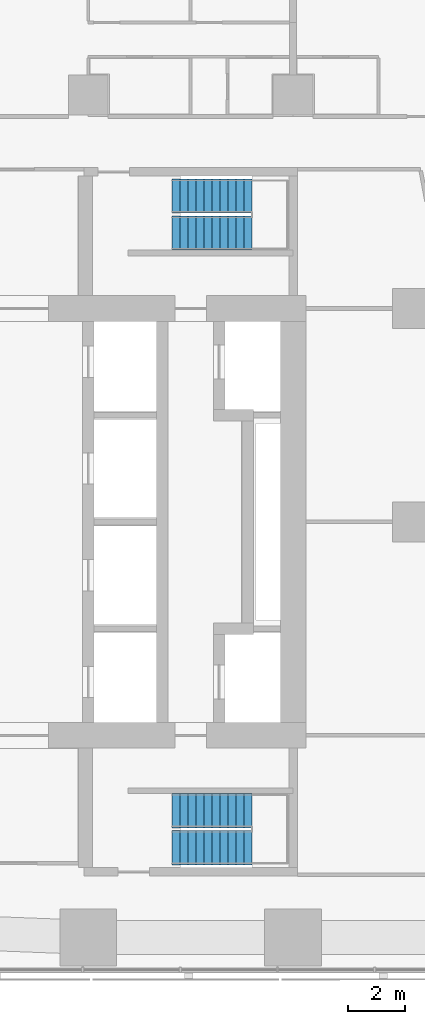
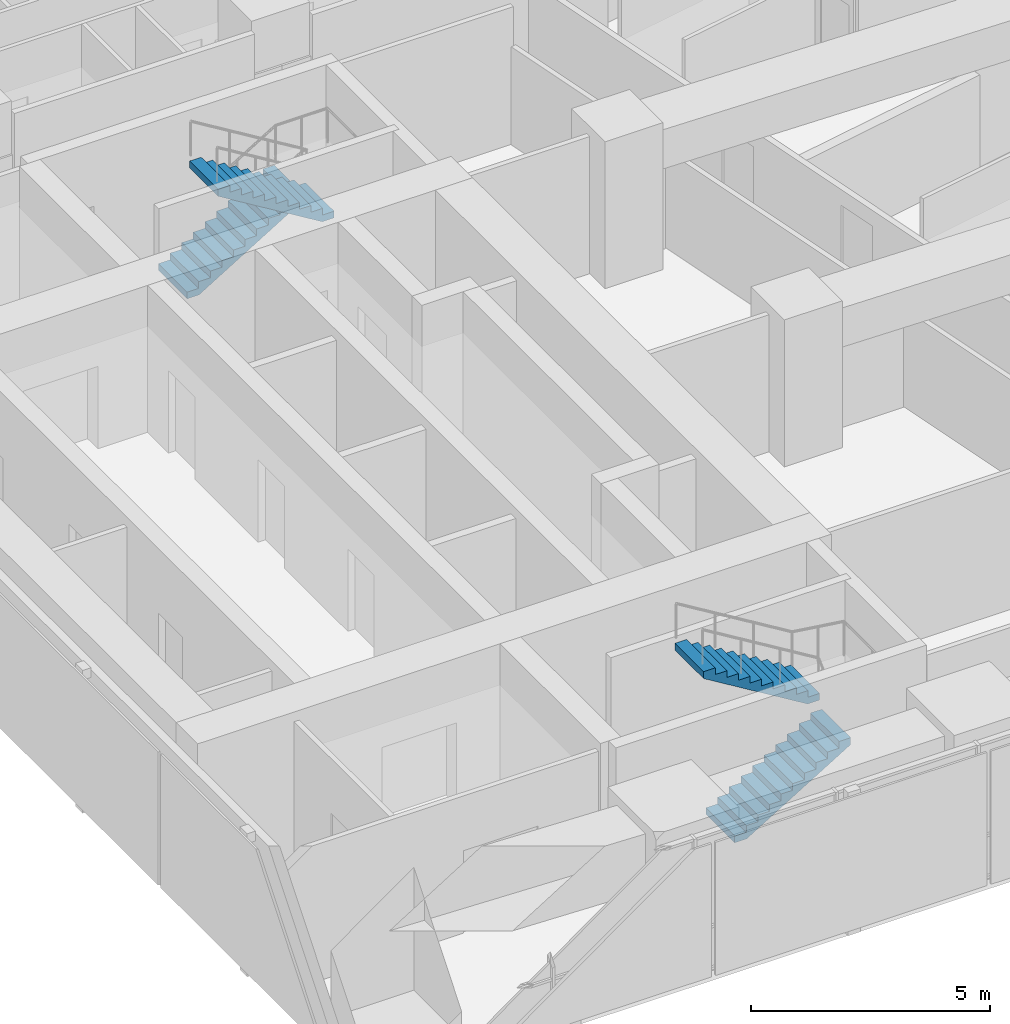
# One storey, part 10 of 11: 4 stair flights, 2 elements without a shape of their own.
"""IFC4 building model written with IfcOpenShell, lengths in metres."""

import ifcopenshell
import ifcopenshell.guid

model = None  # the IFC model being written
_history = None  # IfcOwnerHistory: only IFC2X3 demands one
_inside = {}  # id of a spatial element -> (the spatial element, [elements in it])
_under = {}  # id of a project, library or spatial element -> (it, [spatial elements below it])
_declared = {}  # id of a project -> (the project, [libraries it declares])
_typed = {}  # id of a type object -> (the type object, [elements of that type])
_made_of = {}  # id of a material, layer set ... -> (it, [elements and type objects made of it])


def new_model(schema):
    """Start an empty IFC model of exactly this schema.

    Asked for "IFC4X3", IfcOpenShell would pick the latest addendum, in which some entities
    have other attributes; the version numbers below select the first issue.
    IFC2X3 requires an IfcOwnerHistory on every rooted entity: one is made here for all.
    """
    global model, _history
    if schema == "IFC4X3":
        model = ifcopenshell.file(schema_version=(4, 3, 0, 0))
    else:
        model = ifcopenshell.file(schema=schema)
    _inside.clear()
    _under.clear()
    _declared.clear()
    _typed.clear()
    _made_of.clear()
    _history = None
    if model.schema == "IFC2X3":
        org = make("IfcOrganization", Name="unknown")
        user = make(
            "IfcPersonAndOrganization",
            ThePerson=make("IfcPerson", FamilyName="unknown"),
            TheOrganization=org,
        )
        app = make(
            "IfcApplication",
            ApplicationDeveloper=org,
            Version="unknown",
            ApplicationFullName="unknown",
            ApplicationIdentifier="unknown",
        )
        _history = make(
            "IfcOwnerHistory",
            OwningUser=user,
            OwningApplication=app,
            ChangeAction="ADDED",
            CreationDate=0,
        )
    return model


def make(cls, **values):
    """One entity of the class cls with the attributes given. An attribute that is None is left unset."""
    return model.create_entity(
        cls, **{name: value for name, value in values.items() if value is not None}
    )


def rooted(cls, **values):
    """An entity with a GlobalId (a new one), such as an element, a storey or a relation."""
    return make(cls, GlobalId=ifcopenshell.guid.new(), OwnerHistory=_history, **values)


def si_unit(unit_type, name, prefix=None):
    """IfcSIUnit, for example si_unit("LENGTHUNIT", "METRE", prefix="MILLI")."""
    return make("IfcSIUnit", UnitType=unit_type, Prefix=prefix, Name=name)


def assignment(units):
    """IfcUnitAssignment: the units of a project."""
    return None if units is None else make("IfcUnitAssignment", Units=units)


def point(xyz):
    """IfcCartesianPoint."""
    return None if xyz is None else make("IfcCartesianPoint", Coordinates=xyz)


def direction(xyz):
    """IfcDirection."""
    return None if xyz is None else make("IfcDirection", DirectionRatios=xyz)


def frame(location, z_axis=None, x_axis=None):
    """IfcAxis2Placement3D, a coordinate frame: its origin and axes. An axis left out is left unset."""
    return make(
        "IfcAxis2Placement3D",
        Location=point(location),
        Axis=direction(z_axis),
        RefDirection=direction(x_axis),
    )


def origin():
    """The frame at (0, 0, 0) with its axes left unset."""
    return frame((0.0, 0.0, 0.0))


def place(relative_to, where):
    """IfcLocalPlacement: puts the frame where relative to a parent placement (None: the world)."""
    return make(
        "IfcLocalPlacement", PlacementRelTo=relative_to, RelativePlacement=where
    )


def context(
    kind, dimensions, precision=None, world=None, true_north=None, identifier=None
):
    """IfcGeometricRepresentationContext, for example the 3D "Model" context."""
    return make(
        "IfcGeometricRepresentationContext",
        ContextIdentifier=identifier,
        ContextType=kind,
        CoordinateSpaceDimension=dimensions,
        Precision=precision,
        WorldCoordinateSystem=world,
        TrueNorth=true_north,
    )


def subcontext(parent, identifier, kind, view, scale=None):
    """IfcGeometricRepresentationSubContext, for example "Body" below "Model"."""
    return make(
        "IfcGeometricRepresentationSubContext",
        ContextIdentifier=identifier,
        ContextType=kind,
        ParentContext=parent,
        TargetScale=scale,
        TargetView=view,
    )


def project(units=None, contexts=None):
    """IfcProject with its units and contexts."""
    return rooted(
        "IfcProject",
        Name="project",
        RepresentationContexts=contexts,
        UnitsInContext=assignment(units),
    )


def spatial(cls, under=None, at=None, **own):
    """A site, building, storey or space (cls), placed at a placement, below another one or the project."""
    s = rooted(cls, ObjectPlacement=at, **own)
    if under is not None:
        _under.setdefault(under.id(), (under, []))[1].append(s)
    return s


def point_list(points):
    """IfcCartesianPointList2D or 3D."""
    cls = (
        "IfcCartesianPointList2D" if len(points[0]) == 2 else "IfcCartesianPointList3D"
    )
    return make(cls, CoordList=points)


def triangles(points, corners, closed=None, point_numbers=None):
    """IfcTriangulatedFaceSet: each triangle names its three corners, points numbered from 1."""
    return make(
        "IfcTriangulatedFaceSet",
        Coordinates=point_list(points),
        Closed=closed,
        CoordIndex=corners,
        PnIndex=point_numbers,
    )


def shape(context_of_items, identifier, shape_type, items):
    """IfcShapeRepresentation: the items that make up one representation, for example the "Body"."""
    return make(
        "IfcShapeRepresentation",
        ContextOfItems=context_of_items,
        RepresentationIdentifier=identifier,
        RepresentationType=shape_type,
        Items=items,
    )


def material(Name=None, Category=None):
    """IfcMaterial."""
    return make("IfcMaterial", Name=Name, Category=Category)


def made_of(thing, what):
    """Note that an element or type object is made of a material, layer set ...; save() writes the relation."""
    if what is not None:
        _made_of.setdefault(what.id(), (what, []))[1].append(thing)
    return thing


def type_object(cls, material=None, **own):
    """A type object (cls), such as IfcWallType, which elements share."""
    return made_of(rooted(cls, **own), material)


def element(
    cls,
    number,
    at=None,
    inside=None,
    cuts=None,
    type_object=None,
    material=None,
    context=None,
    identifier="Body",
    shape_type=None,
    held_by="IfcProductDefinitionShape",
    body=None,
    shapes=None,
    **own,
):
    """One element of the class cls, such as IfcWall. Its Tag is "e" and its number.

    at: its placement. inside: the storey or other place that contains it. cuts: it is an
    opening in that element (IfcRelVoidsElement). A single representation is given by context,
    identifier, shape_type and body (its items); several are given by shapes. held_by: the class
    of the entity that holds the representations. save() writes the other relations.
    """
    e = rooted(cls, Tag="e%d" % number, ObjectPlacement=at, **own)
    if body is not None:
        shapes = [shape(context, identifier, shape_type, body)]
    if shapes is not None:
        e.Representation = make(held_by, Representations=shapes)
    if inside is not None:
        _inside.setdefault(inside.id(), (inside, []))[1].append(e)
    if cuts is not None:
        rooted(
            "IfcRelVoidsElement", RelatingBuildingElement=cuts, RelatedOpeningElement=e
        )
    if type_object is not None:
        _typed.setdefault(type_object.id(), (type_object, []))[1].append(e)
    return made_of(e, material)


def aggregate(whole, parts):
    """IfcRelAggregates: a whole, such as a stair, and the parts it consists of."""
    return rooted("IfcRelAggregates", RelatingObject=whole, RelatedObjects=parts)


def save(model, path):
    """Write the relations noted so far, then the file.

    IfcRelAggregates (storeys below a building ...), IfcRelContainedInSpatialStructure (elements
    in a storey), IfcRelDefinesByType, IfcRelAssociatesMaterial and IfcRelDeclares: one each for
    every whole, place, type object, material and project.
    """
    for whole, parts in _under.values():
        aggregate(whole, parts)
    for where, things in _inside.values():
        rooted(
            "IfcRelContainedInSpatialStructure",
            RelatedElements=things,
            RelatingStructure=where,
        )
    for kind, things in _typed.values():
        rooted("IfcRelDefinesByType", RelatedObjects=things, RelatingType=kind)
    for what, things in _made_of.values():
        rooted("IfcRelAssociatesMaterial", RelatedObjects=things, RelatingMaterial=what)
    for by, libraries in _declared.values():
        rooted("IfcRelDeclares", RelatingContext=by, RelatedDefinitions=libraries)
    model.write(path)


model = new_model("IFC4")

# Units and contexts
model_context = context("Model", 3, precision=1e-05, world=origin(), true_north=direction((0.0, 1.0)))
body_context = subcontext(model_context, "Body", "Model", "MODEL_VIEW")
ifc_project = project(units=[si_unit("LENGTHUNIT", "METRE"), si_unit("AREAUNIT", "SQUARE_METRE"), si_unit("VOLUMEUNIT", "CUBIC_METRE"), si_unit("PLANEANGLEUNIT", "RADIAN"), si_unit("MASSUNIT", "GRAM", prefix="KILO")], contexts=[model_context])

# Site, building, storey
site_placement = place(None, origin())
site = spatial("IfcSite", under=ifc_project, at=site_placement, CompositionType="ELEMENT")
building_placement = place(site_placement, origin())
building = spatial("IfcBuilding", under=site, at=building_placement, Name="Sheger Commons Tower", CompositionType="ELEMENT")
storey_placement = place(building_placement, frame((0.0, 0.0, 274.10009765625)))
storey = spatial("IfcBuildingStorey", under=building, at=storey_placement, Name="L70", CompositionType="ELEMENT", Elevation=274.10009765625)

# Stair, stair flights
ifc_material_1 = material(Name="Concrete C35/45", Category="concrete")
stair_type = type_object("IfcStairType", Name="HALF-TURN STAIR 1200 RISE 3750", PredefinedType="HALF_TURN_STAIR", material=ifc_material_1)
stair_1_placement = place(storey_placement, origin())
stair_1 = element("IfcStair", 1, at=stair_1_placement, inside=storey, type_object=stair_type, Name="Stair S1 L70", PredefinedType="HALF_TURN_STAIR")
ifc_material_2 = material(Name="Concrete C35/45", Category="concrete")
stair_flight_type = type_object("IfcStairFlightType", Name="STAIR FLIGHT 1200 11 RISERS OF 170", PredefinedType="STRAIGHT", material=ifc_material_2)
stair_flight_1_placement = place(storey_placement, frame((24.550048828125, 11.050048828125, 0.0), z_axis=(0.0, 0.0, 1.0), x_axis=(1.0, 0.0, 0.0)))
stair_flight_1 = element("IfcStairFlight", 2, at=stair_flight_1_placement, type_object=stair_flight_type, Name="S1 flight 1", NumberOfRisers=11, NumberOfTreads=10, PredefinedType="STRAIGHT", RiserHeight=0.170454545, TreadLength=0.28, context=body_context, shape_type="Tessellation", body=[
    triangles([(0.0, 0.5999755859375, 0.0), (0.0, 0.5999755859375, 0.17041015625), (0.280029296875, 0.5999755859375, 0.17041015625), (0.280029296875, 0.5999755859375, 0.3408203125), (0.56005859375, 0.5999755859375, 0.3408203125), (0.56005859375, 0.5999755859375, 0.511474609375), (0.840087890625, 0.5999755859375, 0.511474609375), (0.840087890625, 0.5999755859375, 0.681884765625), (1.1201171875, 0.5999755859375, 0.681884765625), (1.1201171875, 0.5999755859375, 0.852294921875), (1.39990234375, 0.5999755859375, 0.852294921875), (1.39990234375, 0.5999755859375, 1.022705078125), (1.679931640625, 0.5999755859375, 1.022705078125), (1.679931640625, 0.5999755859375, 1.193115234375), (1.9599609375, 0.5999755859375, 1.193115234375), (1.9599609375, 0.5999755859375, 1.363525390625), (2.239990234375, 0.5999755859375, 1.363525390625), (2.239990234375, 0.5999755859375, 1.5341796875), (2.52001953125, 0.5999755859375, 1.5341796875), (2.52001953125, 0.5999755859375, 1.70458984375), (2.800048828125, 0.5999755859375, 1.70458984375), (2.800048828125, 0.5999755859375, 1.529052734375), (0.288330078125, 0.5999755859375, 0.0), (0.0, -0.5999755859375, 0.0), (0.0, -0.5999755859375, 0.17041015625), (0.280029296875, -0.5999755859375, 0.17041015625), (0.280029296875, -0.5999755859375, 0.3408203125), (0.56005859375, -0.5999755859375, 0.3408203125), (0.56005859375, -0.5999755859375, 0.511474609375), (0.840087890625, -0.5999755859375, 0.511474609375), (0.840087890625, -0.5999755859375, 0.681884765625), (1.1201171875, -0.5999755859375, 0.681884765625), (1.1201171875, -0.5999755859375, 0.852294921875), (1.39990234375, -0.5999755859375, 0.852294921875), (1.39990234375, -0.5999755859375, 1.022705078125), (1.679931640625, -0.5999755859375, 1.022705078125), (1.679931640625, -0.5999755859375, 1.193115234375), (1.9599609375, -0.5999755859375, 1.193115234375), (1.9599609375, -0.5999755859375, 1.363525390625), (2.239990234375, -0.5999755859375, 1.363525390625), (2.239990234375, -0.5999755859375, 1.5341796875), (2.52001953125, -0.5999755859375, 1.5341796875), (2.52001953125, -0.5999755859375, 1.70458984375), (2.800048828125, -0.5999755859375, 1.70458984375), (2.800048828125, -0.5999755859375, 1.529052734375), (0.288330078125, -0.5999755859375, 0.0), (0.0, 0.0, 0.085205078125), (0.1400146484375, 0.0, 0.17041015625), (0.280029296875, 0.0, 0.255615234375), (0.4200439453125, 0.0, 0.3408203125), (0.56005859375, 0.0, 0.4261474609375), (0.7000732421875, 0.0, 0.511474609375), (0.840087890625, 0.0, 0.5966796875), (0.9801025390625, 0.0, 0.681884765625), (1.1201171875, 0.0, 0.76708984375), (1.260009765625, 0.0, 0.852294921875), (1.39990234375, 0.0, 0.9375), (1.5399169921875, 0.0, 1.022705078125), (1.679931640625, 0.0, 1.10791015625), (1.8199462890625, 0.0, 1.193115234375), (1.9599609375, 0.0, 1.2783203125), (2.0999755859375, 0.0, 1.363525390625), (2.239990234375, 0.0, 1.4488525390625), (2.3800048828125, 0.0, 1.5341796875), (2.52001953125, 0.0, 1.619384765625), (2.6600341796875, 0.0, 1.70458984375), (2.800048828125, 0.0, 1.6168212890625), (1.544189453125, 0.0, 0.7645263671875), (0.1441650390625, 0.0, 0.0)], [[1, 22, 23], [24, 46, 45], [22, 20, 21], [45, 44, 43], [22, 19, 20], [45, 43, 42], [22, 18, 19], [45, 42, 41], [22, 17, 18], [45, 41, 40], [17, 15, 16], [40, 39, 38], [22, 15, 17], [45, 40, 38], [15, 13, 14], [38, 37, 36], [22, 13, 15], [45, 38, 36], [13, 11, 12], [36, 35, 34], [22, 11, 13], [45, 36, 34], [11, 9, 10], [34, 33, 32], [22, 9, 11], [45, 34, 32], [9, 7, 8], [32, 31, 30], [22, 7, 9], [45, 32, 30], [7, 5, 6], [30, 29, 28], [22, 5, 7], [45, 30, 28], [5, 3, 4], [28, 27, 26], [22, 3, 5], [45, 28, 26], [1, 3, 22], [24, 45, 26], [3, 1, 2], [26, 25, 24], [1, 47, 2], [2, 47, 25], [25, 47, 24], [24, 47, 1], [2, 48, 3], [3, 48, 26], [26, 48, 25], [25, 48, 2], [3, 49, 4], [4, 49, 27], [27, 49, 26], [26, 49, 3], [4, 50, 5], [5, 50, 28], [28, 50, 27], [27, 50, 4], [5, 51, 6], [6, 51, 29], [29, 51, 28], [28, 51, 5], [6, 52, 7], [7, 52, 30], [30, 52, 29], [29, 52, 6], [7, 53, 8], [8, 53, 31], [31, 53, 30], [30, 53, 7], [8, 54, 9], [9, 54, 32], [32, 54, 31], [31, 54, 8], [9, 55, 10], [10, 55, 33], [33, 55, 32], [32, 55, 9], [10, 56, 11], [11, 56, 34], [34, 56, 33], [33, 56, 10], [11, 57, 12], [12, 57, 35], [35, 57, 34], [34, 57, 11], [12, 58, 13], [13, 58, 36], [36, 58, 35], [35, 58, 12], [13, 59, 14], [14, 59, 37], [37, 59, 36], [36, 59, 13], [14, 60, 15], [15, 60, 38], [38, 60, 37], [37, 60, 14], [15, 61, 16], [16, 61, 39], [39, 61, 38], [38, 61, 15], [16, 62, 17], [17, 62, 40], [40, 62, 39], [39, 62, 16], [17, 63, 18], [18, 63, 41], [41, 63, 40], [40, 63, 17], [18, 64, 19], [19, 64, 42], [42, 64, 41], [41, 64, 18], [19, 65, 20], [20, 65, 43], [43, 65, 42], [42, 65, 19], [20, 66, 21], [21, 66, 44], [44, 66, 43], [43, 66, 20], [21, 67, 22], [22, 67, 45], [45, 67, 44], [44, 67, 21], [22, 68, 23], [23, 68, 46], [46, 68, 45], [45, 68, 22], [23, 69, 1], [1, 69, 24], [24, 69, 46], [46, 69, 23]], closed=True),
])
stair_flight_2_placement = place(storey_placement, frame((27.35009765625, 12.35009765625, 1.875), z_axis=(0.0, 0.0, 1.0), x_axis=(-1.0, 0.0, 0.0)))
stair_flight_2 = element("IfcStairFlight", 3, at=stair_flight_2_placement, type_object=stair_flight_type, Name="S1 flight 2", NumberOfRisers=11, NumberOfTreads=10, PredefinedType="STRAIGHT", RiserHeight=0.170454545, TreadLength=0.28, context=body_context, shape_type="Tessellation", body=[
    triangles([(0.0, 0.5999755859375, 0.0), (0.0, 0.5999755859375, 0.17041015625), (0.280029296875, 0.5999755859375, 0.17041015625), (0.280029296875, 0.5999755859375, 0.3408203125), (0.56005859375, 0.5999755859375, 0.3408203125), (0.56005859375, 0.5999755859375, 0.511474609375), (0.840087890625, 0.5999755859375, 0.511474609375), (0.840087890625, 0.5999755859375, 0.681884765625), (1.1201171875, 0.5999755859375, 0.681884765625), (1.1201171875, 0.5999755859375, 0.852294921875), (1.39990234375, 0.5999755859375, 0.852294921875), (1.39990234375, 0.5999755859375, 1.022705078125), (1.679931640625, 0.5999755859375, 1.022705078125), (1.679931640625, 0.5999755859375, 1.193115234375), (1.9599609375, 0.5999755859375, 1.193115234375), (1.9599609375, 0.5999755859375, 1.363525390625), (2.239990234375, 0.5999755859375, 1.363525390625), (2.239990234375, 0.5999755859375, 1.5341796875), (2.52001953125, 0.5999755859375, 1.5341796875), (2.52001953125, 0.5999755859375, 1.70458984375), (2.800048828125, 0.5999755859375, 1.70458984375), (2.800048828125, 0.5999755859375, 1.529052734375), (0.288330078125, 0.5999755859375, 0.0), (0.0, -0.5999755859375, 0.0), (0.0, -0.5999755859375, 0.17041015625), (0.280029296875, -0.5999755859375, 0.17041015625), (0.280029296875, -0.5999755859375, 0.3408203125), (0.56005859375, -0.5999755859375, 0.3408203125), (0.56005859375, -0.5999755859375, 0.511474609375), (0.840087890625, -0.5999755859375, 0.511474609375), (0.840087890625, -0.5999755859375, 0.681884765625), (1.1201171875, -0.5999755859375, 0.681884765625), (1.1201171875, -0.5999755859375, 0.852294921875), (1.39990234375, -0.5999755859375, 0.852294921875), (1.39990234375, -0.5999755859375, 1.022705078125), (1.679931640625, -0.5999755859375, 1.022705078125), (1.679931640625, -0.5999755859375, 1.193115234375), (1.9599609375, -0.5999755859375, 1.193115234375), (1.9599609375, -0.5999755859375, 1.363525390625), (2.239990234375, -0.5999755859375, 1.363525390625), (2.239990234375, -0.5999755859375, 1.5341796875), (2.52001953125, -0.5999755859375, 1.5341796875), (2.52001953125, -0.5999755859375, 1.70458984375), (2.800048828125, -0.5999755859375, 1.70458984375), (2.800048828125, -0.5999755859375, 1.529052734375), (0.288330078125, -0.5999755859375, 0.0), (0.0, 0.0, 0.085205078125), (0.1400146484375, 0.0, 0.17041015625), (0.280029296875, 0.0, 0.255615234375), (0.4200439453125, 0.0, 0.3408203125), (0.56005859375, 0.0, 0.4261474609375), (0.7000732421875, 0.0, 0.511474609375), (0.840087890625, 0.0, 0.5966796875), (0.9801025390625, 0.0, 0.681884765625), (1.1201171875, 0.0, 0.76708984375), (1.260009765625, 0.0, 0.852294921875), (1.39990234375, 0.0, 0.9375), (1.5399169921875, 0.0, 1.022705078125), (1.679931640625, 0.0, 1.10791015625), (1.8199462890625, 0.0, 1.193115234375), (1.9599609375, 0.0, 1.2783203125), (2.0999755859375, 0.0, 1.363525390625), (2.239990234375, 0.0, 1.4488525390625), (2.3800048828125, 0.0, 1.5341796875), (2.52001953125, 0.0, 1.619384765625), (2.6600341796875, 0.0, 1.70458984375), (2.800048828125, 0.0, 1.6168212890625), (1.544189453125, 0.0, 0.7645263671875), (0.1441650390625, 0.0, 0.0)], [[1, 22, 23], [24, 46, 45], [22, 20, 21], [45, 44, 43], [22, 19, 20], [45, 43, 42], [22, 18, 19], [45, 42, 41], [22, 17, 18], [45, 41, 40], [17, 15, 16], [40, 39, 38], [22, 15, 17], [45, 40, 38], [15, 13, 14], [38, 37, 36], [22, 13, 15], [45, 38, 36], [13, 11, 12], [36, 35, 34], [22, 11, 13], [45, 36, 34], [11, 9, 10], [34, 33, 32], [22, 9, 11], [45, 34, 32], [9, 7, 8], [32, 31, 30], [22, 7, 9], [45, 32, 30], [7, 5, 6], [30, 29, 28], [22, 5, 7], [45, 30, 28], [5, 3, 4], [28, 27, 26], [22, 3, 5], [45, 28, 26], [1, 3, 22], [24, 45, 26], [3, 1, 2], [26, 25, 24], [1, 47, 2], [2, 47, 25], [25, 47, 24], [24, 47, 1], [2, 48, 3], [3, 48, 26], [26, 48, 25], [25, 48, 2], [3, 49, 4], [4, 49, 27], [27, 49, 26], [26, 49, 3], [4, 50, 5], [5, 50, 28], [28, 50, 27], [27, 50, 4], [5, 51, 6], [6, 51, 29], [29, 51, 28], [28, 51, 5], [6, 52, 7], [7, 52, 30], [30, 52, 29], [29, 52, 6], [7, 53, 8], [8, 53, 31], [31, 53, 30], [30, 53, 7], [8, 54, 9], [9, 54, 32], [32, 54, 31], [31, 54, 8], [9, 55, 10], [10, 55, 33], [33, 55, 32], [32, 55, 9], [10, 56, 11], [11, 56, 34], [34, 56, 33], [33, 56, 10], [11, 57, 12], [12, 57, 35], [35, 57, 34], [34, 57, 11], [12, 58, 13], [13, 58, 36], [36, 58, 35], [35, 58, 12], [13, 59, 14], [14, 59, 37], [37, 59, 36], [36, 59, 13], [14, 60, 15], [15, 60, 38], [38, 60, 37], [37, 60, 14], [15, 61, 16], [16, 61, 39], [39, 61, 38], [38, 61, 15], [16, 62, 17], [17, 62, 40], [40, 62, 39], [39, 62, 16], [17, 63, 18], [18, 63, 41], [41, 63, 40], [40, 63, 17], [18, 64, 19], [19, 64, 42], [42, 64, 41], [41, 64, 18], [19, 65, 20], [20, 65, 43], [43, 65, 42], [42, 65, 19], [20, 66, 21], [21, 66, 44], [44, 66, 43], [43, 66, 20], [21, 67, 22], [22, 67, 45], [45, 67, 44], [44, 67, 21], [22, 68, 23], [23, 68, 46], [46, 68, 45], [45, 68, 22], [23, 69, 1], [1, 69, 24], [24, 69, 46], [46, 69, 23]], closed=True),
])
aggregate(stair_1, [stair_flight_1, stair_flight_2])

stair_2_placement = place(storey_placement, origin())
stair_2 = element("IfcStair", 4, at=stair_2_placement, inside=storey, type_object=stair_type, Name="Stair S2 L70", PredefinedType="HALF_TURN_STAIR")
stair_flight_3_placement = place(storey_placement, frame((24.550048828125, 33.949951171875, 0.0), z_axis=(0.0, 0.0, 1.0), x_axis=(1.0, 0.0, 0.0)))
stair_flight_3 = element("IfcStairFlight", 5, at=stair_flight_3_placement, type_object=stair_flight_type, Name="S2 flight 1", NumberOfRisers=11, NumberOfTreads=10, PredefinedType="STRAIGHT", RiserHeight=0.170454545, TreadLength=0.28, context=body_context, shape_type="Tessellation", body=[
    triangles([(0.0, 0.5999755859375, 0.0), (0.0, 0.5999755859375, 0.17041015625), (0.280029296875, 0.5999755859375, 0.17041015625), (0.280029296875, 0.5999755859375, 0.3408203125), (0.56005859375, 0.5999755859375, 0.3408203125), (0.56005859375, 0.5999755859375, 0.511474609375), (0.840087890625, 0.5999755859375, 0.511474609375), (0.840087890625, 0.5999755859375, 0.681884765625), (1.1201171875, 0.5999755859375, 0.681884765625), (1.1201171875, 0.5999755859375, 0.852294921875), (1.39990234375, 0.5999755859375, 0.852294921875), (1.39990234375, 0.5999755859375, 1.022705078125), (1.679931640625, 0.5999755859375, 1.022705078125), (1.679931640625, 0.5999755859375, 1.193115234375), (1.9599609375, 0.5999755859375, 1.193115234375), (1.9599609375, 0.5999755859375, 1.363525390625), (2.239990234375, 0.5999755859375, 1.363525390625), (2.239990234375, 0.5999755859375, 1.5341796875), (2.52001953125, 0.5999755859375, 1.5341796875), (2.52001953125, 0.5999755859375, 1.70458984375), (2.800048828125, 0.5999755859375, 1.70458984375), (2.800048828125, 0.5999755859375, 1.529052734375), (0.288330078125, 0.5999755859375, 0.0), (0.0, -0.5999755859375, 0.0), (0.0, -0.5999755859375, 0.17041015625), (0.280029296875, -0.5999755859375, 0.17041015625), (0.280029296875, -0.5999755859375, 0.3408203125), (0.56005859375, -0.5999755859375, 0.3408203125), (0.56005859375, -0.5999755859375, 0.511474609375), (0.840087890625, -0.5999755859375, 0.511474609375), (0.840087890625, -0.5999755859375, 0.681884765625), (1.1201171875, -0.5999755859375, 0.681884765625), (1.1201171875, -0.5999755859375, 0.852294921875), (1.39990234375, -0.5999755859375, 0.852294921875), (1.39990234375, -0.5999755859375, 1.022705078125), (1.679931640625, -0.5999755859375, 1.022705078125), (1.679931640625, -0.5999755859375, 1.193115234375), (1.9599609375, -0.5999755859375, 1.193115234375), (1.9599609375, -0.5999755859375, 1.363525390625), (2.239990234375, -0.5999755859375, 1.363525390625), (2.239990234375, -0.5999755859375, 1.5341796875), (2.52001953125, -0.5999755859375, 1.5341796875), (2.52001953125, -0.5999755859375, 1.70458984375), (2.800048828125, -0.5999755859375, 1.70458984375), (2.800048828125, -0.5999755859375, 1.529052734375), (0.288330078125, -0.5999755859375, 0.0), (0.0, 0.0, 0.085205078125), (0.1400146484375, 0.0, 0.17041015625), (0.280029296875, 0.0, 0.255615234375), (0.4200439453125, 0.0, 0.3408203125), (0.56005859375, 0.0, 0.4261474609375), (0.7000732421875, 0.0, 0.511474609375), (0.840087890625, 0.0, 0.5966796875), (0.9801025390625, 0.0, 0.681884765625), (1.1201171875, 0.0, 0.76708984375), (1.260009765625, 0.0, 0.852294921875), (1.39990234375, 0.0, 0.9375), (1.5399169921875, 0.0, 1.022705078125), (1.679931640625, 0.0, 1.10791015625), (1.8199462890625, 0.0, 1.193115234375), (1.9599609375, 0.0, 1.2783203125), (2.0999755859375, 0.0, 1.363525390625), (2.239990234375, 0.0, 1.4488525390625), (2.3800048828125, 0.0, 1.5341796875), (2.52001953125, 0.0, 1.619384765625), (2.6600341796875, 0.0, 1.70458984375), (2.800048828125, 0.0, 1.6168212890625), (1.544189453125, 0.0, 0.7645263671875), (0.1441650390625, 0.0, 0.0)], [[1, 22, 23], [24, 46, 45], [22, 20, 21], [45, 44, 43], [22, 19, 20], [45, 43, 42], [22, 18, 19], [45, 42, 41], [22, 17, 18], [45, 41, 40], [17, 15, 16], [40, 39, 38], [22, 15, 17], [45, 40, 38], [15, 13, 14], [38, 37, 36], [22, 13, 15], [45, 38, 36], [13, 11, 12], [36, 35, 34], [22, 11, 13], [45, 36, 34], [11, 9, 10], [34, 33, 32], [22, 9, 11], [45, 34, 32], [9, 7, 8], [32, 31, 30], [22, 7, 9], [45, 32, 30], [7, 5, 6], [30, 29, 28], [22, 5, 7], [45, 30, 28], [5, 3, 4], [28, 27, 26], [22, 3, 5], [45, 28, 26], [1, 3, 22], [24, 45, 26], [3, 1, 2], [26, 25, 24], [1, 47, 2], [2, 47, 25], [25, 47, 24], [24, 47, 1], [2, 48, 3], [3, 48, 26], [26, 48, 25], [25, 48, 2], [3, 49, 4], [4, 49, 27], [27, 49, 26], [26, 49, 3], [4, 50, 5], [5, 50, 28], [28, 50, 27], [27, 50, 4], [5, 51, 6], [6, 51, 29], [29, 51, 28], [28, 51, 5], [6, 52, 7], [7, 52, 30], [30, 52, 29], [29, 52, 6], [7, 53, 8], [8, 53, 31], [31, 53, 30], [30, 53, 7], [8, 54, 9], [9, 54, 32], [32, 54, 31], [31, 54, 8], [9, 55, 10], [10, 55, 33], [33, 55, 32], [32, 55, 9], [10, 56, 11], [11, 56, 34], [34, 56, 33], [33, 56, 10], [11, 57, 12], [12, 57, 35], [35, 57, 34], [34, 57, 11], [12, 58, 13], [13, 58, 36], [36, 58, 35], [35, 58, 12], [13, 59, 14], [14, 59, 37], [37, 59, 36], [36, 59, 13], [14, 60, 15], [15, 60, 38], [38, 60, 37], [37, 60, 14], [15, 61, 16], [16, 61, 39], [39, 61, 38], [38, 61, 15], [16, 62, 17], [17, 62, 40], [40, 62, 39], [39, 62, 16], [17, 63, 18], [18, 63, 41], [41, 63, 40], [40, 63, 17], [18, 64, 19], [19, 64, 42], [42, 64, 41], [41, 64, 18], [19, 65, 20], [20, 65, 43], [43, 65, 42], [42, 65, 19], [20, 66, 21], [21, 66, 44], [44, 66, 43], [43, 66, 20], [21, 67, 22], [22, 67, 45], [45, 67, 44], [44, 67, 21], [22, 68, 23], [23, 68, 46], [46, 68, 45], [45, 68, 22], [23, 69, 1], [1, 69, 24], [24, 69, 46], [46, 69, 23]], closed=True),
])
stair_flight_4_placement = place(storey_placement, frame((27.35009765625, 32.64990234375, 1.875), z_axis=(0.0, 0.0, 1.0), x_axis=(-1.0, 0.0, 0.0)))
stair_flight_4 = element("IfcStairFlight", 6, at=stair_flight_4_placement, type_object=stair_flight_type, Name="S2 flight 2", NumberOfRisers=11, NumberOfTreads=10, PredefinedType="STRAIGHT", RiserHeight=0.170454545, TreadLength=0.28, context=body_context, shape_type="Tessellation", body=[
    triangles([(0.0, 0.5999755859375, 0.0), (0.0, 0.5999755859375, 0.17041015625), (0.280029296875, 0.5999755859375, 0.17041015625), (0.280029296875, 0.5999755859375, 0.3408203125), (0.56005859375, 0.5999755859375, 0.3408203125), (0.56005859375, 0.5999755859375, 0.511474609375), (0.840087890625, 0.5999755859375, 0.511474609375), (0.840087890625, 0.5999755859375, 0.681884765625), (1.1201171875, 0.5999755859375, 0.681884765625), (1.1201171875, 0.5999755859375, 0.852294921875), (1.39990234375, 0.5999755859375, 0.852294921875), (1.39990234375, 0.5999755859375, 1.022705078125), (1.679931640625, 0.5999755859375, 1.022705078125), (1.679931640625, 0.5999755859375, 1.193115234375), (1.9599609375, 0.5999755859375, 1.193115234375), (1.9599609375, 0.5999755859375, 1.363525390625), (2.239990234375, 0.5999755859375, 1.363525390625), (2.239990234375, 0.5999755859375, 1.5341796875), (2.52001953125, 0.5999755859375, 1.5341796875), (2.52001953125, 0.5999755859375, 1.70458984375), (2.800048828125, 0.5999755859375, 1.70458984375), (2.800048828125, 0.5999755859375, 1.529052734375), (0.288330078125, 0.5999755859375, 0.0), (0.0, -0.5999755859375, 0.0), (0.0, -0.5999755859375, 0.17041015625), (0.280029296875, -0.5999755859375, 0.17041015625), (0.280029296875, -0.5999755859375, 0.3408203125), (0.56005859375, -0.5999755859375, 0.3408203125), (0.56005859375, -0.5999755859375, 0.511474609375), (0.840087890625, -0.5999755859375, 0.511474609375), (0.840087890625, -0.5999755859375, 0.681884765625), (1.1201171875, -0.5999755859375, 0.681884765625), (1.1201171875, -0.5999755859375, 0.852294921875), (1.39990234375, -0.5999755859375, 0.852294921875), (1.39990234375, -0.5999755859375, 1.022705078125), (1.679931640625, -0.5999755859375, 1.022705078125), (1.679931640625, -0.5999755859375, 1.193115234375), (1.9599609375, -0.5999755859375, 1.193115234375), (1.9599609375, -0.5999755859375, 1.363525390625), (2.239990234375, -0.5999755859375, 1.363525390625), (2.239990234375, -0.5999755859375, 1.5341796875), (2.52001953125, -0.5999755859375, 1.5341796875), (2.52001953125, -0.5999755859375, 1.70458984375), (2.800048828125, -0.5999755859375, 1.70458984375), (2.800048828125, -0.5999755859375, 1.529052734375), (0.288330078125, -0.5999755859375, 0.0), (0.0, 0.0, 0.085205078125), (0.1400146484375, 0.0, 0.17041015625), (0.280029296875, 0.0, 0.255615234375), (0.4200439453125, 0.0, 0.3408203125), (0.56005859375, 0.0, 0.4261474609375), (0.7000732421875, 0.0, 0.511474609375), (0.840087890625, 0.0, 0.5966796875), (0.9801025390625, 0.0, 0.681884765625), (1.1201171875, 0.0, 0.76708984375), (1.260009765625, 0.0, 0.852294921875), (1.39990234375, 0.0, 0.9375), (1.5399169921875, 0.0, 1.022705078125), (1.679931640625, 0.0, 1.10791015625), (1.8199462890625, 0.0, 1.193115234375), (1.9599609375, 0.0, 1.2783203125), (2.0999755859375, 0.0, 1.363525390625), (2.239990234375, 0.0, 1.4488525390625), (2.3800048828125, 0.0, 1.5341796875), (2.52001953125, 0.0, 1.619384765625), (2.6600341796875, 0.0, 1.70458984375), (2.800048828125, 0.0, 1.6168212890625), (1.544189453125, 0.0, 0.7645263671875), (0.1441650390625, 0.0, 0.0)], [[1, 22, 23], [24, 46, 45], [22, 20, 21], [45, 44, 43], [22, 19, 20], [45, 43, 42], [22, 18, 19], [45, 42, 41], [22, 17, 18], [45, 41, 40], [17, 15, 16], [40, 39, 38], [22, 15, 17], [45, 40, 38], [15, 13, 14], [38, 37, 36], [22, 13, 15], [45, 38, 36], [13, 11, 12], [36, 35, 34], [22, 11, 13], [45, 36, 34], [11, 9, 10], [34, 33, 32], [22, 9, 11], [45, 34, 32], [9, 7, 8], [32, 31, 30], [22, 7, 9], [45, 32, 30], [7, 5, 6], [30, 29, 28], [22, 5, 7], [45, 30, 28], [5, 3, 4], [28, 27, 26], [22, 3, 5], [45, 28, 26], [1, 3, 22], [24, 45, 26], [3, 1, 2], [26, 25, 24], [1, 47, 2], [2, 47, 25], [25, 47, 24], [24, 47, 1], [2, 48, 3], [3, 48, 26], [26, 48, 25], [25, 48, 2], [3, 49, 4], [4, 49, 27], [27, 49, 26], [26, 49, 3], [4, 50, 5], [5, 50, 28], [28, 50, 27], [27, 50, 4], [5, 51, 6], [6, 51, 29], [29, 51, 28], [28, 51, 5], [6, 52, 7], [7, 52, 30], [30, 52, 29], [29, 52, 6], [7, 53, 8], [8, 53, 31], [31, 53, 30], [30, 53, 7], [8, 54, 9], [9, 54, 32], [32, 54, 31], [31, 54, 8], [9, 55, 10], [10, 55, 33], [33, 55, 32], [32, 55, 9], [10, 56, 11], [11, 56, 34], [34, 56, 33], [33, 56, 10], [11, 57, 12], [12, 57, 35], [35, 57, 34], [34, 57, 11], [12, 58, 13], [13, 58, 36], [36, 58, 35], [35, 58, 12], [13, 59, 14], [14, 59, 37], [37, 59, 36], [36, 59, 13], [14, 60, 15], [15, 60, 38], [38, 60, 37], [37, 60, 14], [15, 61, 16], [16, 61, 39], [39, 61, 38], [38, 61, 15], [16, 62, 17], [17, 62, 40], [40, 62, 39], [39, 62, 16], [17, 63, 18], [18, 63, 41], [41, 63, 40], [40, 63, 17], [18, 64, 19], [19, 64, 42], [42, 64, 41], [41, 64, 18], [19, 65, 20], [20, 65, 43], [43, 65, 42], [42, 65, 19], [20, 66, 21], [21, 66, 44], [44, 66, 43], [43, 66, 20], [21, 67, 22], [22, 67, 45], [45, 67, 44], [44, 67, 21], [22, 68, 23], [23, 68, 46], [46, 68, 45], [45, 68, 22], [23, 69, 1], [1, 69, 24], [24, 69, 46], [46, 69, 23]], closed=True),
])
aggregate(stair_2, [stair_flight_3, stair_flight_4])

save(model, "model.ifc")
